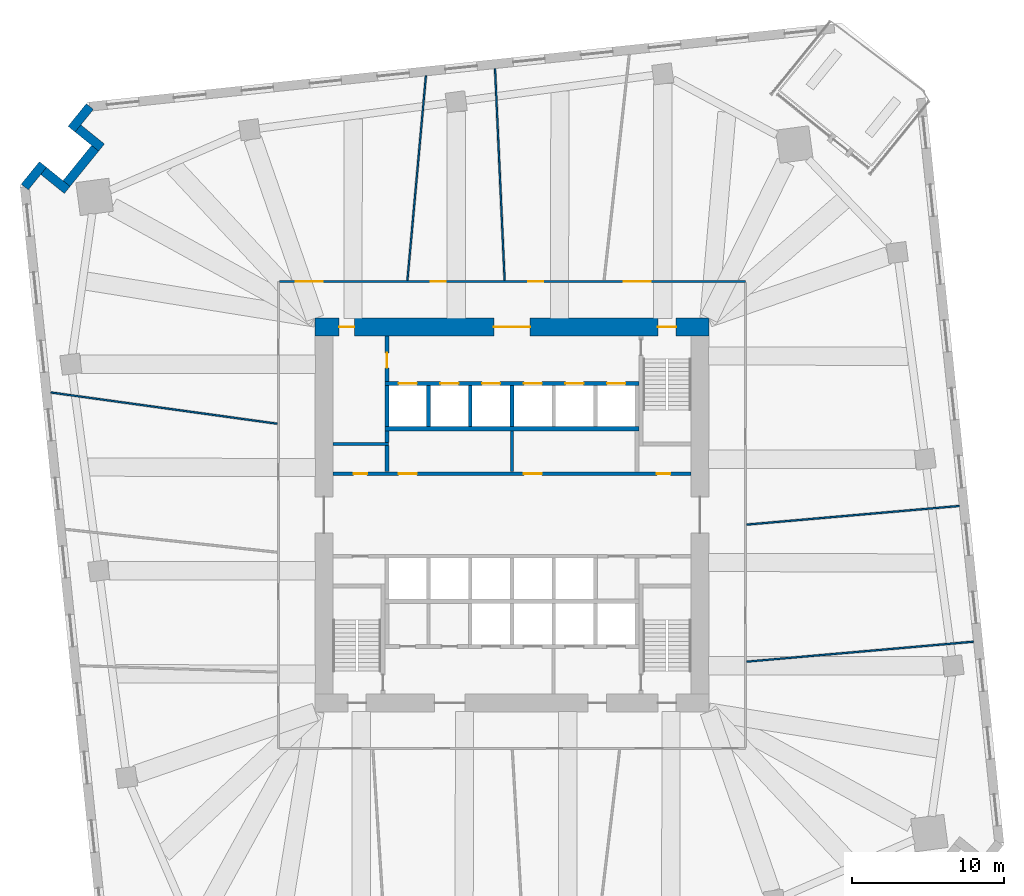
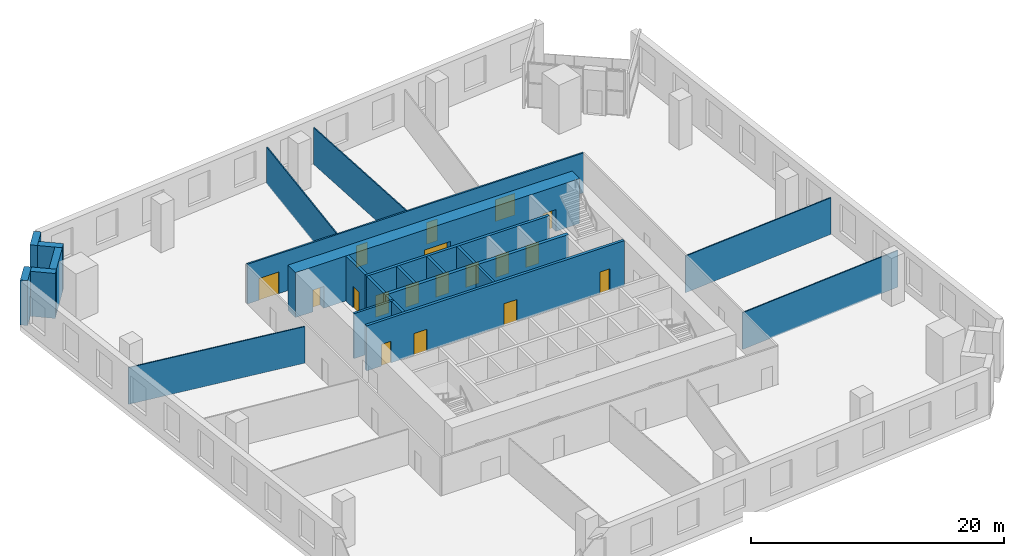
# One storey, part 6 of 10: 24 walls, 18 doors, 18 openings.
"""IFC4 building model written with IfcOpenShell, lengths in metres."""

from ifc_helpers import new_model, si_unit, direction, frame, frame_2d, origin, place, context, subcontext, project, spatial, rectangle, extrude, material, layer, layer_set, type_object, element, fill, save


model = new_model("IFC4")

# Units and contexts
model_context = context("Model", 3, precision=1e-05, world=origin(), true_north=direction((0.0, 1.0)))
body_context = subcontext(model_context, "Body", "Model", "MODEL_VIEW")
ifc_project = project(units=[si_unit("LENGTHUNIT", "METRE"), si_unit("AREAUNIT", "SQUARE_METRE"), si_unit("VOLUMEUNIT", "CUBIC_METRE"), si_unit("PLANEANGLEUNIT", "RADIAN"), si_unit("MASSUNIT", "GRAM", prefix="KILO")], contexts=[model_context])

# Site, building, storey
site_placement = place(None, origin())
site = spatial("IfcSite", under=ifc_project, at=site_placement, CompositionType="ELEMENT")
building_placement = place(site_placement, origin())
building = spatial("IfcBuilding", under=site, at=building_placement, Name="Dilmun Exchange Tower", CompositionType="ELEMENT")
storey_placement = place(building_placement, frame((0.0, 0.0, 46.5)))
storey = spatial("IfcBuildingStorey", under=building, at=storey_placement, Name="L10", CompositionType="ELEMENT", Elevation=46.5)

# Walls
ifc_material_1 = material(Name="Concrete C40/50", Category="concrete")
ifc_layer_1 = layer(ifc_material_1, 0.199951171875)
ifc_layer_set_1 = layer_set([ifc_layer_1], Name="Concrete C40/50")
wall_type_1 = type_object("IfcWallType", Name="Core partition wall 200", PredefinedType="PARTITIONING", material=ifc_layer_set_1)
wall_1_placement = place(storey_placement, frame((0.0, 2.85498046875, 0.0), z_axis=(0.0, 0.0, 1.0), x_axis=(0.0, 1.0, 0.0)))
element("IfcWall", 1, at=wall_1_placement, inside=storey, type_object=wall_type_1, Name="L10 core partition wall 10", PredefinedType="PARTITIONING", context=body_context, shape_type="SweptSolid", body=[
    extrude(rectangle(XDim=2.68994140625, YDim=0.199951171875, at=frame_2d((1.344970703125, 0.0))), origin(), (0.0, 0.0, 1.0), 4.35009765625),
])
wall_2_placement = place(storey_placement, frame((-11.794921875, 4.675048828125, 0.0), z_axis=(0.0, 0.0, 1.0), x_axis=(1.0, 0.0, 0.0)))
element("IfcWall", 2, at=wall_2_placement, inside=storey, type_object=wall_type_1, Name="L10 core partition wall 12", PredefinedType="PARTITIONING", context=body_context, shape_type="SweptSolid", body=[
    extrude(rectangle(XDim=3.64501953125, YDim=0.199951171875, at=frame_2d((1.822509765625, 0.0))), origin(), (0.0, 0.0, 1.0), 4.35009765625),
])

# Wall, openings, doors
ifc_layer_2 = layer(ifc_material_1, 0.25)
ifc_layer_set_2 = layer_set([ifc_layer_2], Name="Concrete C40/50")
wall_type_2 = type_object("IfcWallType", Name="Core partition wall 250", PredefinedType="PARTITIONING", material=ifc_layer_set_2)
wall_3_placement = place(storey_placement, frame((-11.794921875, 2.72509765625, 0.0), z_axis=(0.0, 0.0, 1.0), x_axis=(1.0, 0.0, 0.0)))
wall_3 = element("IfcWall", 3, at=wall_3_placement, inside=storey, type_object=wall_type_2, Name="L10 core partition wall 08", PredefinedType="PARTITIONING", context=body_context, shape_type="SweptSolid", body=[
    extrude(rectangle(XDim=23.58984375, YDim=0.25, at=frame_2d((11.794921875, 0.0))), origin(), (0.0, 0.0, 1.0), 4.35009765625),
])
opening_1_placement = place(wall_3_placement, frame((21.344970703125, 0.0, 0.0)))
opening_1 = element("IfcOpeningElement", 4, at=opening_1_placement, cuts=wall_3, Name="Opening CD6", PredefinedType="OPENING", context=body_context, shape_type="SweptSolid", body=[
    extrude(rectangle(XDim=0.89990234375, YDim=2.10009765625, at=frame_2d((0.449951171875, 1.050048828125))), frame((0.0, 0.135009765625, 0.0), z_axis=(0.0, -1.0, 0.0), x_axis=(1.0, 0.0, 0.0)), (0.0, 0.0, 1.0), 0.27001953125),
])
opening_2_placement = place(wall_3_placement, frame((1.344970703125, 0.0, 0.0)))
opening_2 = element("IfcOpeningElement", 5, at=opening_2_placement, cuts=wall_3, Name="Opening CD6", PredefinedType="OPENING", context=body_context, shape_type="SweptSolid", body=[
    extrude(rectangle(XDim=0.89990234375, YDim=2.10009765625, at=frame_2d((0.449951171875, 1.050048828125))), frame((0.0, 0.135009765625, 0.0), z_axis=(0.0, -1.0, 0.0), x_axis=(1.0, 0.0, 0.0)), (0.0, 0.0, 1.0), 0.27001953125),
])
opening_3_placement = place(wall_3_placement, frame((4.320068359375, 0.0, 0.0)))
opening_3 = element("IfcOpeningElement", 6, at=opening_3_placement, cuts=wall_3, Name="Opening CD3", PredefinedType="OPENING", context=body_context, shape_type="SweptSolid", body=[
    extrude(rectangle(XDim=1.199951171875, YDim=2.10009765625, at=frame_2d((0.60009765625, 1.050048828125))), frame((0.0, 0.135009765625, 0.0), z_axis=(0.0, -1.0, 0.0), x_axis=(1.0, 0.0, 0.0)), (0.0, 0.0, 1.0), 0.27001953125),
])
opening_4_placement = place(wall_3_placement, frame((12.570068359375, 0.0, 0.0)))
opening_4 = element("IfcOpeningElement", 7, at=opening_4_placement, cuts=wall_3, Name="Opening CD3", PredefinedType="OPENING", context=body_context, shape_type="SweptSolid", body=[
    extrude(rectangle(XDim=1.199951171875, YDim=2.10009765625, at=frame_2d((0.60009765625, 1.050048828125))), frame((0.0, 0.135009765625, 0.0), z_axis=(0.0, -1.0, 0.0), x_axis=(1.0, 0.0, 0.0)), (0.0, 0.0, 1.0), 0.27001953125),
])
ifc_material_2 = material(Name="Fire-rated steel door set", Category="steel")
door_type_1 = type_object("IfcDoorType", Name="Core room door 900x2100", OperationType="SINGLE_SWING_LEFT", PredefinedType="DOOR", material=ifc_material_2)
door_1_placement = place(opening_1_placement, origin())
door_1 = element("IfcDoor", 8, at=door_1_placement, inside=storey, type_object=door_type_1, Name="L10 door Electrical riser", OperationType="SINGLE_SWING_LEFT", OverallHeight=2.10009765625, OverallWidth=0.89990234375, PredefinedType="DOOR", context=body_context, shape_type="SweptSolid", body=[
    extrude(rectangle(XDim=0.89990234375, YDim=2.10009765625, at=frame_2d((0.449951171875, 1.050048828125))), frame((0.0, 0.02490234375, 0.0), z_axis=(0.0, -1.0, 0.0), x_axis=(1.0, 0.0, 0.0)), (0.0, 0.0, 1.0), 0.050048828125),
])
fill(opening_1, door_1)
door_2_placement = place(opening_2_placement, origin())
door_2 = element("IfcDoor", 9, at=door_2_placement, inside=storey, type_object=door_type_1, Name="L10 door Plumbing riser", OperationType="SINGLE_SWING_LEFT", OverallHeight=2.10009765625, OverallWidth=0.89990234375, PredefinedType="DOOR", context=body_context, shape_type="SweptSolid", body=[
    extrude(rectangle(XDim=0.89990234375, YDim=2.10009765625, at=frame_2d((0.449951171875, 1.050048828125))), frame((0.0, 0.02490234375, 0.0), z_axis=(0.0, -1.0, 0.0), x_axis=(1.0, 0.0, 0.0)), (0.0, 0.0, 1.0), 0.050048828125),
])
fill(opening_2, door_2)
door_type_2 = type_object("IfcDoorType", Name="Stair exit door 1200x2100", OperationType="SINGLE_SWING_LEFT", PredefinedType="DOOR", material=ifc_material_2)
door_3_placement = place(opening_3_placement, origin())
door_3 = element("IfcDoor", 10, at=door_3_placement, inside=storey, type_object=door_type_2, Name="L10 door Tenant amenity store", OperationType="SINGLE_SWING_LEFT", OverallHeight=2.10009765625, OverallWidth=1.199951171875, PredefinedType="DOOR", context=body_context, shape_type="SweptSolid", body=[
    extrude(rectangle(XDim=1.199951171875, YDim=2.10009765625, at=frame_2d((0.60009765625, 1.050048828125))), frame((0.0, 0.02490234375, 0.0), z_axis=(0.0, -1.0, 0.0), x_axis=(1.0, 0.0, 0.0)), (0.0, 0.0, 1.0), 0.050048828125),
])
fill(opening_3, door_3)
door_4_placement = place(opening_4_placement, origin())
door_4 = element("IfcDoor", 11, at=door_4_placement, inside=storey, type_object=door_type_2, Name="L10 door Facilities workshop", OperationType="SINGLE_SWING_LEFT", OverallHeight=2.10009765625, OverallWidth=1.199951171875, PredefinedType="DOOR", context=body_context, shape_type="SweptSolid", body=[
    extrude(rectangle(XDim=1.199951171875, YDim=2.10009765625, at=frame_2d((0.60009765625, 1.050048828125))), frame((0.0, 0.02490234375, 0.0), z_axis=(0.0, -1.0, 0.0), x_axis=(1.0, 0.0, 0.0)), (0.0, 0.0, 1.0), 0.050048828125),
])
fill(opening_4, door_4)

# Walls
wall_4_placement = place(storey_placement, frame((-8.25, 2.85498046875, 0.0), z_axis=(0.0, 0.0, 1.0), x_axis=(0.0, 1.0, 0.0)))
element("IfcWall", 12, at=wall_4_placement, inside=storey, type_object=wall_type_2, Name="L10 core partition wall 09", PredefinedType="PARTITIONING", context=body_context, shape_type="SweptSolid", body=[
    extrude(rectangle(XDim=1.715087890625, YDim=0.25, at=frame_2d((0.857421875, 0.0))), origin(), (0.0, 0.0, 1.0), 4.35009765625),
])
wall_5_placement = place(storey_placement, frame((-8.25, 4.780029296875, 0.0), z_axis=(0.0, 0.0, 1.0), x_axis=(0.0, 1.0, 0.0)))
element("IfcWall", 13, at=wall_5_placement, inside=storey, type_object=wall_type_2, Name="L10 core partition wall 13", PredefinedType="PARTITIONING", context=body_context, shape_type="SweptSolid", body=[
    extrude(rectangle(XDim=0.764892578125, YDim=0.25, at=frame_2d((0.38232421875, 0.0))), origin(), (0.0, 0.0, 1.0), 4.35009765625),
])

# Wall, opening, door
wall_6_placement = place(storey_placement, frame((-8.25, 8.804931640625, 0.0), z_axis=(0.0, 0.0, 1.0), x_axis=(0.0, 1.0, 0.0)))
wall_6 = element("IfcWall", 14, at=wall_6_placement, inside=storey, type_object=wall_type_2, Name="L10 core partition wall 14", PredefinedType="PARTITIONING", context=body_context, shape_type="SweptSolid", body=[
    extrude(rectangle(XDim=2.989990234375, YDim=0.25, at=frame_2d((1.4951171875, 0.0))), origin(), (0.0, 0.0, 1.0), 4.35009765625),
])
opening_5_placement = place(wall_6_placement, frame((0.89501953125, 0.0, 0.0)))
opening_5 = element("IfcOpeningElement", 15, at=opening_5_placement, cuts=wall_6, Name="Opening CD4", PredefinedType="OPENING", context=body_context, shape_type="SweptSolid", body=[
    extrude(rectangle(XDim=1.0, YDim=2.10009765625, at=frame_2d((0.5, 1.050048828125))), frame((0.0, 0.135009765625, 0.0), z_axis=(0.0, -1.0, 0.0), x_axis=(1.0, 0.0, 0.0)), (0.0, 0.0, 1.0), 0.27001953125),
])
door_type_3 = type_object("IfcDoorType", Name="Core room door 1000x2100", OperationType="SINGLE_SWING_LEFT", PredefinedType="DOOR", material=ifc_material_2)
door_5_placement = place(opening_5_placement, origin())
door_5 = element("IfcDoor", 16, at=door_5_placement, inside=storey, type_object=door_type_3, Name="L10 door Building services room", OperationType="SINGLE_SWING_LEFT", OverallHeight=2.10009765625, OverallWidth=1.0, PredefinedType="DOOR", context=body_context, shape_type="SweptSolid", body=[
    extrude(rectangle(XDim=1.0, YDim=2.10009765625, at=frame_2d((0.5, 1.050048828125))), frame((0.0, 0.02490234375, 0.0), z_axis=(0.0, -1.0, 0.0), x_axis=(1.0, 0.0, 0.0)), (0.0, 0.0, 1.0), 0.050048828125),
])
fill(opening_5, door_5)

# Wall, openings, doors
ifc_material_3 = material(Name="Concrete C80/95", Category="concrete")
ifc_layer_3 = layer(ifc_material_3, 1.199951171875)
ifc_layer_set_3 = layer_set([ifc_layer_3], Name="Concrete C80/95")
wall_type_3 = type_object("IfcWallType", Name="Core shear wall 1200 Concrete C80/95", PredefinedType="SHEAR", material=ifc_layer_set_3)
wall_7_placement = place(storey_placement, frame((-13.0, 12.39990234375, 0.0), z_axis=(0.0, 0.0, 1.0), x_axis=(1.0, 0.0, 0.0)))
wall_7 = element("IfcWall", 17, at=wall_7_placement, inside=storey, type_object=wall_type_3, Name="L10 core shear wall N", PredefinedType="SHEAR", context=body_context, shape_type="SweptSolid", body=[
    extrude(rectangle(XDim=26.0, YDim=1.199951171875, at=frame_2d((13.0, 0.0))), origin(), (0.0, 0.0, 1.0), 4.35009765625),
])
opening_6_placement = place(wall_7_placement, frame((11.800048828125, 0.0, 0.0)))
opening_6 = element("IfcOpeningElement", 18, at=opening_6_placement, cuts=wall_7, Name="Opening CD1", PredefinedType="OPENING", context=body_context, shape_type="SweptSolid", body=[
    extrude(rectangle(XDim=2.39990234375, YDim=2.39990234375, at=frame_2d((1.199951171875, 1.199951171875))), frame((0.0, 0.60986328125, 0.0), z_axis=(0.0, -1.0, 0.0), x_axis=(1.0, 0.0, 0.0)), (0.0, 0.0, 1.0), 1.219970703125),
])
opening_7_placement = place(wall_7_placement, frame((22.625, 0.0, 0.0)))
opening_7 = element("IfcOpeningElement", 19, at=opening_7_placement, cuts=wall_7, Name="Opening CD3", PredefinedType="OPENING", context=body_context, shape_type="SweptSolid", body=[
    extrude(rectangle(XDim=1.199951171875, YDim=2.10009765625, at=frame_2d((0.60009765625, 1.050048828125))), frame((0.0, 0.60986328125, 0.0), z_axis=(0.0, -1.0, 0.0), x_axis=(1.0, 0.0, 0.0)), (0.0, 0.0, 1.0), 1.219970703125),
])
opening_8_placement = place(wall_7_placement, frame((1.60009765625, 0.0, 0.0)))
opening_8 = element("IfcOpeningElement", 20, at=opening_8_placement, cuts=wall_7, Name="Opening CD4", PredefinedType="OPENING", context=body_context, shape_type="SweptSolid", body=[
    extrude(rectangle(XDim=1.0, YDim=2.10009765625, at=frame_2d((0.5, 1.050048828125))), frame((0.0, 0.60986328125, 0.0), z_axis=(0.0, -1.0, 0.0), x_axis=(1.0, 0.0, 0.0)), (0.0, 0.0, 1.0), 1.219970703125),
])
door_type_4 = type_object("IfcDoorType", Name="Core lobby door 2400x2400", OperationType="DOUBLE_DOOR_DOUBLE_SWING", PredefinedType="DOOR", material=ifc_material_2)
door_6_placement = place(opening_6_placement, origin())
door_6 = element("IfcDoor", 21, at=door_6_placement, inside=storey, type_object=door_type_4, Name="L10 door North lift lobby", OperationType="SINGLE_SWING_LEFT", OverallHeight=2.39990234375, OverallWidth=2.39990234375, PredefinedType="DOOR", context=body_context, shape_type="SweptSolid", body=[
    extrude(rectangle(XDim=2.39990234375, YDim=2.39990234375, at=frame_2d((1.199951171875, 1.199951171875))), frame((0.0, 0.02490234375, 0.0), z_axis=(0.0, -1.0, 0.0), x_axis=(1.0, 0.0, 0.0)), (0.0, 0.0, 1.0), 0.050048828125),
])
fill(opening_6, door_6)
door_7_placement = place(opening_8_placement, origin())
door_7 = element("IfcDoor", 22, at=door_7_placement, inside=storey, type_object=door_type_3, Name="L10 door North-west core rooms", OperationType="SINGLE_SWING_LEFT", OverallHeight=2.10009765625, OverallWidth=1.0, PredefinedType="DOOR", context=body_context, shape_type="SweptSolid", body=[
    extrude(rectangle(XDim=1.0, YDim=2.10009765625, at=frame_2d((0.5, 1.050048828125))), frame((0.0, 0.02490234375, 0.0), z_axis=(0.0, -1.0, 0.0), x_axis=(1.0, 0.0, 0.0)), (0.0, 0.0, 1.0), 0.050048828125),
])
fill(opening_8, door_7)
door_8_placement = place(opening_7_placement, origin())
door_8 = element("IfcDoor", 23, at=door_8_placement, inside=storey, type_object=door_type_2, Name="L10 door Stair ST1", OperationType="SINGLE_SWING_LEFT", OverallHeight=2.10009765625, OverallWidth=1.199951171875, PredefinedType="DOOR", context=body_context, shape_type="SweptSolid", body=[
    extrude(rectangle(XDim=1.199951171875, YDim=2.10009765625, at=frame_2d((0.60009765625, 1.050048828125))), frame((0.0, 0.02490234375, 0.0), z_axis=(0.0, -1.0, 0.0), x_axis=(1.0, 0.0, 0.0)), (0.0, 0.0, 1.0), 0.050048828125),
])
fill(opening_7, door_8)

ifc_material_4 = material(Name="Corridor wall 150")
ifc_layer_4 = layer(ifc_material_4, 0.14990234375)
ifc_layer_set_4 = layer_set([ifc_layer_4], Name="Corridor wall 150")
wall_type_4 = type_object("IfcWallType", Name="Corridor wall 150", PredefinedType="PARTITIONING", material=ifc_layer_set_4)
wall_8_placement = place(storey_placement, frame((-15.324951171875, 15.39990234375, 0.0), z_axis=(0.0, 0.0, 1.0), x_axis=(1.0, 0.0, 0.0)))
wall_8 = element("IfcWall", 24, at=wall_8_placement, inside=storey, type_object=wall_type_4, Name="Corridor wall", PredefinedType="PARTITIONING", context=body_context, shape_type="SweptSolid", body=[
    extrude(rectangle(XDim=30.724853515625, YDim=0.14990234375, at=frame_2d((15.3623046875, 0.0))), origin(), (0.0, 0.0, 1.0), 3.85009765625),
])
opening_9_placement = place(wall_8_placement, frame((1.050048828125, 0.0, 0.0)))
opening_9 = element("IfcOpeningElement", 25, at=opening_9_placement, cuts=wall_8, Name="Opening TF08-D03", PredefinedType="OPENING", context=body_context, shape_type="SweptSolid", body=[
    extrude(rectangle(XDim=1.800048828125, YDim=2.10009765625, at=frame_2d((0.89990234375, 1.050048828125))), frame((0.0, 0.0849609375, 0.0), z_axis=(0.0, -1.0, 0.0), x_axis=(1.0, 0.0, 0.0)), (0.0, 0.0, 1.0), 0.169921875),
])
opening_10_placement = place(wall_8_placement, frame((9.970458984375, 0.0, 0.0)))
opening_10 = element("IfcOpeningElement", 26, at=opening_10_placement, cuts=wall_8, Name="Opening TF08-D08", PredefinedType="OPENING", context=body_context, shape_type="SweptSolid", body=[
    extrude(rectangle(XDim=1.0, YDim=2.10009765625, at=frame_2d((0.5, 1.050048828125))), frame((0.0, 0.0849609375, 0.0), z_axis=(0.0, -1.0, 0.0), x_axis=(1.0, 0.0, 0.0)), (0.0, 0.0, 1.0), 0.169921875),
])
opening_11_placement = place(wall_8_placement, frame((16.388916015625, 0.0, 0.0)))
opening_11 = element("IfcOpeningElement", 27, at=opening_11_placement, cuts=wall_8, Name="Opening TF08-D09", PredefinedType="OPENING", context=body_context, shape_type="SweptSolid", body=[
    extrude(rectangle(XDim=1.0, YDim=2.10009765625, at=frame_2d((0.5, 1.050048828125))), frame((0.0, 0.0849609375, 0.0), z_axis=(0.0, -1.0, 0.0), x_axis=(1.0, 0.0, 0.0)), (0.0, 0.0, 1.0), 0.169921875),
])
opening_12_placement = place(wall_8_placement, frame((22.689697265625, 0.0, 0.0)))
opening_12 = element("IfcOpeningElement", 28, at=opening_12_placement, cuts=wall_8, Name="Opening TF08-D11", PredefinedType="OPENING", context=body_context, shape_type="SweptSolid", body=[
    extrude(rectangle(XDim=1.800048828125, YDim=2.10009765625, at=frame_2d((0.89990234375, 1.050048828125))), frame((0.0, 0.0849609375, 0.0), z_axis=(0.0, -1.0, 0.0), x_axis=(1.0, 0.0, 0.0)), (0.0, 0.0, 1.0), 0.169921875),
])
ifc_material_5 = material(Name="Fire door 1000 x 2100")
door_type_5 = type_object("IfcDoorType", Name="Fire door 1000 x 2100", OperationType="NOTDEFINED", PredefinedType="DOOR", material=ifc_material_5)
door_9_placement = place(opening_10_placement, origin())
door_9 = element("IfcDoor", 29, at=door_9_placement, inside=storey, type_object=door_type_5, Name="Door TF08-D08", OperationType="SINGLE_SWING_LEFT", OverallHeight=2.10009765625, OverallWidth=1.0, PredefinedType="DOOR", context=body_context, shape_type="SweptSolid", body=[
    extrude(rectangle(XDim=1.0, YDim=2.10009765625, at=frame_2d((0.5, 1.050048828125))), frame((0.0, 0.02490234375, 0.0), z_axis=(0.0, -1.0, 0.0), x_axis=(1.0, 0.0, 0.0)), (0.0, 0.0, 1.0), 0.050048828125),
])
fill(opening_10, door_9)
door_10_placement = place(opening_11_placement, origin())
door_10 = element("IfcDoor", 30, at=door_10_placement, inside=storey, type_object=door_type_5, Name="Door TF08-D09", OperationType="SINGLE_SWING_LEFT", OverallHeight=2.10009765625, OverallWidth=1.0, PredefinedType="DOOR", context=body_context, shape_type="SweptSolid", body=[
    extrude(rectangle(XDim=1.0, YDim=2.10009765625, at=frame_2d((0.5, 1.050048828125))), frame((0.0, 0.02490234375, 0.0), z_axis=(0.0, -1.0, 0.0), x_axis=(1.0, 0.0, 0.0)), (0.0, 0.0, 1.0), 0.050048828125),
])
fill(opening_11, door_10)
ifc_material_6 = material(Name="Fire door pair 1800 x 2100")
door_type_6 = type_object("IfcDoorType", Name="Fire door pair 1800 x 2100", OperationType="NOTDEFINED", PredefinedType="DOOR", material=ifc_material_6)
door_11_placement = place(opening_9_placement, origin())
door_11 = element("IfcDoor", 31, at=door_11_placement, inside=storey, type_object=door_type_6, Name="Door TF08-D03", OperationType="DOUBLE_DOOR_SINGLE_SWING", OverallHeight=2.10009765625, OverallWidth=1.800048828125, PredefinedType="DOOR", context=body_context, shape_type="SweptSolid", body=[
    extrude(rectangle(XDim=1.800048828125, YDim=2.10009765625, at=frame_2d((0.89990234375, 1.050048828125))), frame((0.0, 0.02490234375, 0.0), z_axis=(0.0, -1.0, 0.0), x_axis=(1.0, 0.0, 0.0)), (0.0, 0.0, 1.0), 0.050048828125),
])
fill(opening_9, door_11)
door_12_placement = place(opening_12_placement, origin())
door_12 = element("IfcDoor", 32, at=door_12_placement, inside=storey, type_object=door_type_6, Name="Door TF08-D11", OperationType="DOUBLE_DOOR_SINGLE_SWING", OverallHeight=2.10009765625, OverallWidth=1.800048828125, PredefinedType="DOOR", context=body_context, shape_type="SweptSolid", body=[
    extrude(rectangle(XDim=1.800048828125, YDim=2.10009765625, at=frame_2d((0.89990234375, 1.050048828125))), frame((0.0, 0.02490234375, 0.0), z_axis=(0.0, -1.0, 0.0), x_axis=(1.0, 0.0, 0.0)), (0.0, 0.0, 1.0), 0.050048828125),
])
fill(opening_12, door_12)

# Wall
ifc_layer_5 = layer(ifc_material_1, 0.300048828125)
ifc_layer_set_5 = layer_set([ifc_layer_5], Name="Concrete C40/50")
wall_type_5 = type_object("IfcWallType", Name="Lift shaft shared wall 300", PredefinedType="SOLIDWALL", material=ifc_layer_set_5)
wall_9_placement = place(storey_placement, frame((-8.375, 5.699951171875, 0.0), z_axis=(0.0, 0.0, 1.0), x_axis=(1.0, 0.0, 0.0)))
element("IfcWall", 33, at=wall_9_placement, inside=storey, type_object=wall_type_5, Name="L10 lift shaft rear wall N", PredefinedType="SOLIDWALL", context=body_context, shape_type="SweptSolid", body=[
    extrude(rectangle(XDim=16.75, YDim=0.300048828125, at=frame_2d((8.375, 0.0))), origin(), (0.0, 0.0, 1.0), 4.35009765625),
])

# Wall, openings, doors
ifc_layer_6 = layer(ifc_material_1, 0.25)
ifc_layer_set_6 = layer_set([ifc_layer_6], Name="Concrete C40/50")
wall_type_6 = type_object("IfcWallType", Name="Lift shaft wall 250", PredefinedType="SOLIDWALL", material=ifc_layer_set_6)
wall_10_placement = place(storey_placement, frame((-8.375, 8.675048828125, 0.0), z_axis=(0.0, 0.0, 1.0), x_axis=(1.0, 0.0, 0.0)))
wall_10 = element("IfcWall", 34, at=wall_10_placement, inside=storey, type_object=wall_type_6, Name="L10 lift shaft front wall N2", PredefinedType="SOLIDWALL", context=body_context, shape_type="SweptSolid", body=[
    extrude(rectangle(XDim=16.75, YDim=0.25, at=frame_2d((8.375, 0.0))), origin(), (0.0, 0.0, 1.0), 4.35009765625),
])
opening_13_placement = place(wall_10_placement, frame((0.89990234375, 0.0, 0.0)))
opening_13 = element("IfcOpeningElement", 35, at=opening_13_placement, cuts=wall_10, Name="Opening LD", PredefinedType="OPENING", context=body_context, shape_type="SweptSolid", body=[
    extrude(rectangle(XDim=1.199951171875, YDim=2.10009765625, at=frame_2d((0.60009765625, 1.050048828125))), frame((0.0, 0.135009765625, 0.0), z_axis=(0.0, -1.0, 0.0), x_axis=(1.0, 0.0, 0.0)), (0.0, 0.0, 1.0), 0.27001953125),
])
opening_14_placement = place(wall_10_placement, frame((3.64990234375, 0.0, 0.0)))
opening_14 = element("IfcOpeningElement", 36, at=opening_14_placement, cuts=wall_10, Name="Opening LD", PredefinedType="OPENING", context=body_context, shape_type="SweptSolid", body=[
    extrude(rectangle(XDim=1.199951171875, YDim=2.10009765625, at=frame_2d((0.60009765625, 1.050048828125))), frame((0.0, 0.135009765625, 0.0), z_axis=(0.0, -1.0, 0.0), x_axis=(1.0, 0.0, 0.0)), (0.0, 0.0, 1.0), 0.27001953125),
])
opening_15_placement = place(wall_10_placement, frame((6.39990234375, 0.0, 0.0)))
opening_15 = element("IfcOpeningElement", 37, at=opening_15_placement, cuts=wall_10, Name="Opening LD", PredefinedType="OPENING", context=body_context, shape_type="SweptSolid", body=[
    extrude(rectangle(XDim=1.199951171875, YDim=2.10009765625, at=frame_2d((0.60009765625, 1.050048828125))), frame((0.0, 0.135009765625, 0.0), z_axis=(0.0, -1.0, 0.0), x_axis=(1.0, 0.0, 0.0)), (0.0, 0.0, 1.0), 0.27001953125),
])
opening_16_placement = place(wall_10_placement, frame((9.14990234375, 0.0, 0.0)))
opening_16 = element("IfcOpeningElement", 38, at=opening_16_placement, cuts=wall_10, Name="Opening LD", PredefinedType="OPENING", context=body_context, shape_type="SweptSolid", body=[
    extrude(rectangle(XDim=1.199951171875, YDim=2.10009765625, at=frame_2d((0.60009765625, 1.050048828125))), frame((0.0, 0.135009765625, 0.0), z_axis=(0.0, -1.0, 0.0), x_axis=(1.0, 0.0, 0.0)), (0.0, 0.0, 1.0), 0.27001953125),
])
opening_17_placement = place(wall_10_placement, frame((11.89990234375, 0.0, 0.0)))
opening_17 = element("IfcOpeningElement", 39, at=opening_17_placement, cuts=wall_10, Name="Opening LD", PredefinedType="OPENING", context=body_context, shape_type="SweptSolid", body=[
    extrude(rectangle(XDim=1.199951171875, YDim=2.10009765625, at=frame_2d((0.60009765625, 1.050048828125))), frame((0.0, 0.135009765625, 0.0), z_axis=(0.0, -1.0, 0.0), x_axis=(1.0, 0.0, 0.0)), (0.0, 0.0, 1.0), 0.27001953125),
])
opening_18_placement = place(wall_10_placement, frame((14.64990234375, 0.0, 0.0)))
opening_18 = element("IfcOpeningElement", 40, at=opening_18_placement, cuts=wall_10, Name="Opening LD", PredefinedType="OPENING", context=body_context, shape_type="SweptSolid", body=[
    extrude(rectangle(XDim=1.199951171875, YDim=2.10009765625, at=frame_2d((0.60009765625, 1.050048828125))), frame((0.0, 0.135009765625, 0.0), z_axis=(0.0, -1.0, 0.0), x_axis=(1.0, 0.0, 0.0)), (0.0, 0.0, 1.0), 0.27001953125),
])
door_type_7 = type_object("IfcDoorType", Name="Lift landing door 1200x2100", OperationType="DOUBLE_DOOR_SLIDING", PredefinedType="DOOR", material=ifc_material_2)
door_13_placement = place(opening_13_placement, origin())
door_13 = element("IfcDoor", 41, at=door_13_placement, inside=storey, type_object=door_type_7, Name="L10 landing door LR1", OperationType="DOUBLE_DOOR_SLIDING", OverallHeight=2.10009765625, OverallWidth=1.199951171875, PredefinedType="DOOR", context=body_context, shape_type="SweptSolid", body=[
    extrude(rectangle(XDim=1.199951171875, YDim=2.10009765625, at=frame_2d((0.60009765625, 1.050048828125))), frame((0.0, 0.02490234375, 0.0), z_axis=(0.0, -1.0, 0.0), x_axis=(1.0, 0.0, 0.0)), (0.0, 0.0, 1.0), 0.050048828125),
])
fill(opening_13, door_13)
door_14_placement = place(opening_14_placement, origin())
door_14 = element("IfcDoor", 42, at=door_14_placement, inside=storey, type_object=door_type_7, Name="L10 landing door LR2", OperationType="DOUBLE_DOOR_SLIDING", OverallHeight=2.10009765625, OverallWidth=1.199951171875, PredefinedType="DOOR", context=body_context, shape_type="SweptSolid", body=[
    extrude(rectangle(XDim=1.199951171875, YDim=2.10009765625, at=frame_2d((0.60009765625, 1.050048828125))), frame((0.0, 0.02490234375, 0.0), z_axis=(0.0, -1.0, 0.0), x_axis=(1.0, 0.0, 0.0)), (0.0, 0.0, 1.0), 0.050048828125),
])
fill(opening_14, door_14)
door_15_placement = place(opening_15_placement, origin())
door_15 = element("IfcDoor", 43, at=door_15_placement, inside=storey, type_object=door_type_7, Name="L10 landing door LR3", OperationType="DOUBLE_DOOR_SLIDING", OverallHeight=2.10009765625, OverallWidth=1.199951171875, PredefinedType="DOOR", context=body_context, shape_type="SweptSolid", body=[
    extrude(rectangle(XDim=1.199951171875, YDim=2.10009765625, at=frame_2d((0.60009765625, 1.050048828125))), frame((0.0, 0.02490234375, 0.0), z_axis=(0.0, -1.0, 0.0), x_axis=(1.0, 0.0, 0.0)), (0.0, 0.0, 1.0), 0.050048828125),
])
fill(opening_15, door_15)
door_16_placement = place(opening_16_placement, origin())
door_16 = element("IfcDoor", 44, at=door_16_placement, inside=storey, type_object=door_type_7, Name="L10 landing door LR4", OperationType="DOUBLE_DOOR_SLIDING", OverallHeight=2.10009765625, OverallWidth=1.199951171875, PredefinedType="DOOR", context=body_context, shape_type="SweptSolid", body=[
    extrude(rectangle(XDim=1.199951171875, YDim=2.10009765625, at=frame_2d((0.60009765625, 1.050048828125))), frame((0.0, 0.02490234375, 0.0), z_axis=(0.0, -1.0, 0.0), x_axis=(1.0, 0.0, 0.0)), (0.0, 0.0, 1.0), 0.050048828125),
])
fill(opening_16, door_16)
door_17_placement = place(opening_17_placement, origin())
door_17 = element("IfcDoor", 45, at=door_17_placement, inside=storey, type_object=door_type_7, Name="L10 landing door LR5", OperationType="DOUBLE_DOOR_SLIDING", OverallHeight=2.10009765625, OverallWidth=1.199951171875, PredefinedType="DOOR", context=body_context, shape_type="SweptSolid", body=[
    extrude(rectangle(XDim=1.199951171875, YDim=2.10009765625, at=frame_2d((0.60009765625, 1.050048828125))), frame((0.0, 0.02490234375, 0.0), z_axis=(0.0, -1.0, 0.0), x_axis=(1.0, 0.0, 0.0)), (0.0, 0.0, 1.0), 0.050048828125),
])
fill(opening_17, door_17)
door_18_placement = place(opening_18_placement, origin())
door_18 = element("IfcDoor", 46, at=door_18_placement, inside=storey, type_object=door_type_7, Name="L10 landing door LR6", OperationType="DOUBLE_DOOR_SLIDING", OverallHeight=2.10009765625, OverallWidth=1.199951171875, PredefinedType="DOOR", context=body_context, shape_type="SweptSolid", body=[
    extrude(rectangle(XDim=1.199951171875, YDim=2.10009765625, at=frame_2d((0.60009765625, 1.050048828125))), frame((0.0, 0.02490234375, 0.0), z_axis=(0.0, -1.0, 0.0), x_axis=(1.0, 0.0, 0.0)), (0.0, 0.0, 1.0), 0.050048828125),
])
fill(opening_18, door_18)

# Walls
for number, where, z_axis, x_axis, name in (
    (47, (-8.25, 5.85009765625, 0.0), (0.0, 0.0, 1.0), (0.0, 1.0, 0.0), "L10 lift shaft divider N20"),
    (48, (-5.5, 5.85009765625, 0.0), (0.0, 0.0, 1.0), (0.0, 1.0, 0.0), "L10 lift shaft divider N21"),
    (49, (-2.75, 5.85009765625, 0.0), (0.0, 0.0, 1.0), (0.0, 1.0, 0.0), "L10 lift shaft divider N22"),
    (50, (0.0, 5.85009765625, 0.0), (0.0, 0.0, 1.0), (0.0, 1.0, 0.0), "L10 lift shaft divider N23"),
):
    element("IfcWall", number, at=place(storey_placement, frame(where, z_axis=z_axis, x_axis=x_axis)), inside=storey, type_object=wall_type_6, Name=name, PredefinedType="SOLIDWALL", context=body_context, shape_type="SweptSolid", body=[
        extrude(rectangle(XDim=2.699951171875, YDim=0.25, at=frame_2d((1.35009765625, 0.0))), origin(), (0.0, 0.0, 1.0), 4.35009765625),
    ])
ifc_material_7 = material(Name="Partition 100")
ifc_layer_7 = layer(ifc_material_7, 0.10009765625)
ifc_layer_set_7 = layer_set([ifc_layer_7], Name="Partition 100")
wall_type_7 = type_object("IfcWallType", Name="Partition 100", PredefinedType="PARTITIONING", material=ifc_layer_set_7)
wall_11_placement = place(storey_placement, frame((-30.4091796875, 8.081298828125, 0.0), z_axis=(0.0, 0.0, 1.0), x_axis=(0.990611296102, -0.136708668474, 0.0)))
element("IfcWall", 51, at=wall_11_placement, inside=storey, type_object=wall_type_7, Name="Partition", PredefinedType="PARTITIONING", context=body_context, shape_type="SweptSolid", body=[
    extrude(rectangle(XDim=15.06884765625, YDim=0.10009765625, at=frame_2d((7.534423828125, 0.0))), origin(), (0.0, 0.0, 1.0), 3.550048828125),
])
wall_12_placement = place(storey_placement, frame((-6.896728515625, 15.4794921875, 0.0), z_axis=(0.0, 0.0, 1.0), x_axis=(0.090073977657, 0.995935077477, 0.0)))
element("IfcWall", 52, at=wall_12_placement, inside=storey, type_object=wall_type_7, Name="Partition", PredefinedType="PARTITIONING", context=body_context, shape_type="SweptSolid", body=[
    extrude(rectangle(XDim=13.53857421875, YDim=0.10009765625, at=frame_2d((6.769287109375, 0.0))), origin(), (0.0, 0.0, 1.0), 3.550048828125),
])
wall_13_placement = place(storey_placement, frame((-1.11962890625, 29.442138671875, 0.0), z_axis=(0.0, 0.0, 1.0), x_axis=(0.045215945181, -0.998977236128, 0.0)))
element("IfcWall", 53, at=wall_13_placement, inside=storey, type_object=wall_type_7, Name="Partition", PredefinedType="PARTITIONING", context=body_context, shape_type="SweptSolid", body=[
    extrude(rectangle(XDim=13.979248046875, YDim=0.10009765625, at=frame_2d((6.98974609375, 0.0))), origin(), (0.0, 0.0, 1.0), 3.550048828125),
])
wall_14_placement = place(storey_placement, frame((15.4794921875, -9.6708984375, 0.0), z_axis=(0.0, 0.0, 1.0), x_axis=(0.996145743112, 0.08771350227, 0.0)))
element("IfcWall", 54, at=wall_14_placement, inside=storey, type_object=wall_type_7, Name="Partition", PredefinedType="PARTITIONING", context=body_context, shape_type="SweptSolid", body=[
    extrude(rectangle(XDim=15.016357421875, YDim=0.10009765625, at=frame_2d((7.50830078125, 0.0))), origin(), (0.0, 0.0, 1.0), 3.550048828125),
])
wall_15_placement = place(storey_placement, frame((15.4794921875, -0.632080078125, 0.0), z_axis=(0.0, 0.0, 1.0), x_axis=(0.99617559828, 0.087373779768, 0.0)))
element("IfcWall", 55, at=wall_15_placement, inside=storey, type_object=wall_type_7, Name="Partition", PredefinedType="PARTITIONING", context=body_context, shape_type="SweptSolid", body=[
    extrude(rectangle(XDim=14.071533203125, YDim=0.10009765625, at=frame_2d((7.03564453125, 0.0))), origin(), (0.0, 0.0, 1.0), 3.550048828125),
])
ifc_material_8 = material(Name="Precast concrete C50/60", Category="concrete")
ifc_layer_8 = layer(ifc_material_8, 0.60009765625)
ifc_layer_set_8 = layer_set([ifc_layer_8], Name="Precast concrete C50/60")
wall_type_8 = type_object("IfcWallType", Name="Precast stone-clad wall 600", PredefinedType="STANDARD", material=ifc_layer_set_8)
wall_16_placement = place(storey_placement, frame((-27.843994140625, 26.93701171875, 0.0), z_axis=(0.0, 0.0, 1.0), x_axis=(-0.629341524136, -0.777128847746, 0.0)))
element("IfcWall", 56, at=wall_16_placement, inside=storey, type_object=wall_type_8, Name="Facade wall L10-04", PredefinedType="STANDARD", context=body_context, shape_type="SweptSolid", body=[
    extrude(rectangle(XDim=1.911376953125, YDim=0.60009765625, at=frame_2d((0.95556640625, 0.0))), origin(), (0.0, 0.0, 1.0), 4.35009765625),
])
wall_17_placement = place(storey_placement, frame((-28.624755859375, 25.49609375, 0.0), z_axis=(0.0, 0.0, 1.0), x_axis=(0.777091341611, -0.629387834958, 0.0)))
element("IfcWall", 57, at=wall_17_placement, inside=storey, type_object=wall_type_8, Name="Facade wall L10-05", PredefinedType="STANDARD", context=body_context, shape_type="SweptSolid", body=[
    extrude(rectangle(XDim=2.0, YDim=0.60009765625, at=frame_2d((1.0, 0.0))), origin(), (0.0, 0.0, 1.0), 4.35009765625),
])
wall_18_placement = place(storey_placement, frame((-27.492431640625, 24.193115234375, 0.0), z_axis=(0.0, 0.0, 1.0), x_axis=(-0.629338688562, -0.777131144068, 0.0)))
element("IfcWall", 58, at=wall_18_placement, inside=storey, type_object=wall_type_8, Name="Facade wall L10-06", PredefinedType="STANDARD", context=body_context, shape_type="SweptSolid", body=[
    extrude(rectangle(XDim=3.0, YDim=0.60009765625, at=frame_2d((1.5, 0.0))), origin(), (0.0, 0.0, 1.0), 4.35009765625),
])
wall_19_placement = place(storey_placement, frame((-29.336181640625, 21.439697265625, 0.0), z_axis=(0.0, 0.0, 1.0), x_axis=(-0.777091341611, 0.629387834958, 0.0)))
element("IfcWall", 59, at=wall_19_placement, inside=storey, type_object=wall_type_8, Name="Facade wall L10-07", PredefinedType="STANDARD", context=body_context, shape_type="SweptSolid", body=[
    extrude(rectangle(XDim=2.0, YDim=0.60009765625, at=frame_2d((1.0, 0.0))), origin(), (0.0, 0.0, 1.0), 4.35009765625),
])
wall_20_placement = place(storey_placement, frame((-30.934814453125, 23.120361328125, 0.0), z_axis=(0.0, 0.0, 1.0), x_axis=(-0.629264373012, -0.777191320627, 0.0)))
element("IfcWall", 60, at=wall_20_placement, inside=storey, type_object=wall_type_8, Name="Facade wall L10-08", PredefinedType="STANDARD", context=body_context, shape_type="SweptSolid", body=[
    extrude(rectangle(XDim=1.9111328125, YDim=0.60009765625, at=frame_2d((0.95556640625, 0.0))), origin(), (0.0, 0.0, 1.0), 4.35009765625),
])

save(model, "model.ifc")
